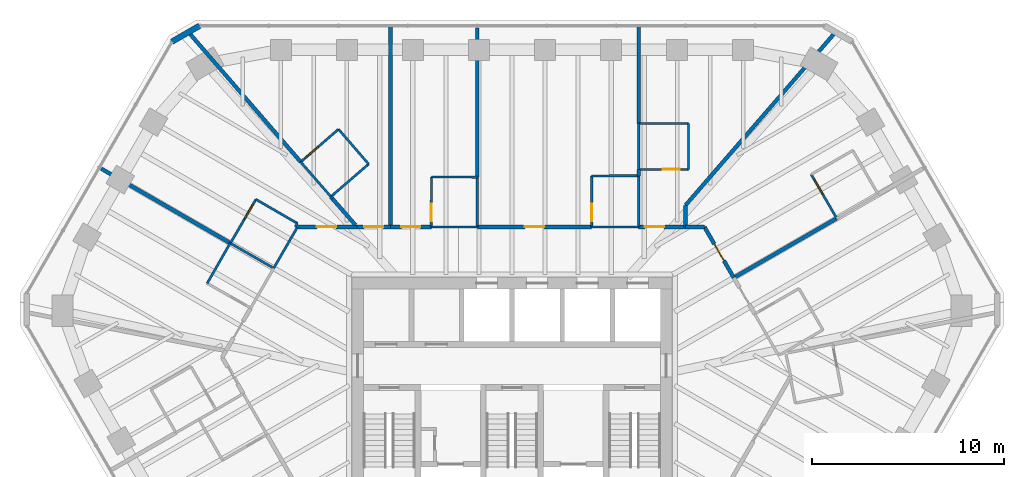
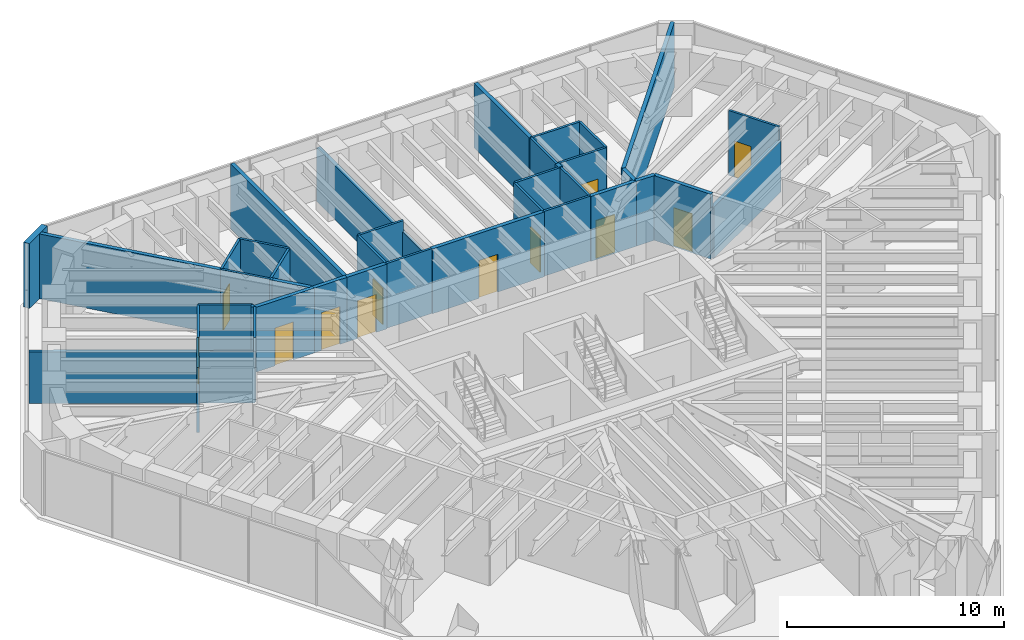
# One storey, part 12 of 14: 42 walls, 12 doors, 12 openings.
"""IFC4 building model written with IfcOpenShell, lengths in metres."""

from ifc_helpers import new_model, si_unit, direction, frame, frame_2d, origin, place, context, subcontext, project, spatial, rectangle, extrude, material, layer, layer_set, type_object, element, fill, save


model = new_model("IFC4")

# Units and contexts
model_context = context("Model", 3, precision=1e-05, world=origin(), true_north=direction((0.0, 1.0)))
body_context = subcontext(model_context, "Body", "Model", "MODEL_VIEW")
ifc_project = project(units=[si_unit("LENGTHUNIT", "METRE"), si_unit("AREAUNIT", "SQUARE_METRE"), si_unit("VOLUMEUNIT", "CUBIC_METRE"), si_unit("PLANEANGLEUNIT", "RADIAN"), si_unit("MASSUNIT", "GRAM", prefix="KILO")], contexts=[model_context])

# Site, building, storey
site_placement = place(None, origin())
site = spatial("IfcSite", under=ifc_project, at=site_placement, CompositionType="ELEMENT")
building_placement = place(site_placement, origin())
building = spatial("IfcBuilding", under=site, at=building_placement, Name="Sandreach Pilgrim Tower", CompositionType="ELEMENT")
storey_placement = place(building_placement, frame((0.0, 0.0, 268.39990234375)))
storey = spatial("IfcBuildingStorey", under=building, at=storey_placement, Name="L67", CompositionType="ELEMENT", Elevation=268.39990234375)

# Walls
ifc_material_1 = material(Name="Moisture-resistant gypsum board on steel studs", Category="steel")
ifc_layer_1 = layer(ifc_material_1, 0.1201171875)
ifc_layer_set_1 = layer_set([ifc_layer_1], Name="Bathroom partition 120")
wall_type_1 = type_object("IfcWallType", Name="Bathroom partition 120", PredefinedType="PARTITIONING", material=ifc_layer_set_1)
wall_1_placement = place(storey_placement, frame((-14.699951171875, 8.489990234375, 0.0), z_axis=(0.0, 0.0, 1.0), x_axis=(-0.496106327528, -0.868261776072, 0.0)))
element("IfcWall", 1, at=wall_1_placement, inside=storey, type_object=wall_type_1, Name="Bathroom partition L67-018", PredefinedType="PARTITIONING", context=body_context, shape_type="SweptSolid", body=[
    extrude(rectangle(XDim=2.418701171875, YDim=0.1201171875, at=frame_2d((1.20947265625, 0.0))), origin(), (0.0, 0.0, 1.0), 3.64013671875),
])
wall_2_placement = place(storey_placement, frame((-14.68994140625, 8.47998046875, 0.0), z_axis=(0.0, 0.0, 1.0), x_axis=(0.866816256489, -0.498627694264, 0.0)))
element("IfcWall", 2, at=wall_2_placement, inside=storey, type_object=wall_type_1, Name="Bathroom partition L67-019", PredefinedType="PARTITIONING", context=body_context, shape_type="SweptSolid", body=[
    extrude(rectangle(XDim=2.607177734375, YDim=0.1201171875, at=frame_2d((1.3037109375, 0.0))), origin(), (0.0, 0.0, 1.0), 2.878173828125),
])

# Wall, opening, door
wall_3_placement = place(storey_placement, frame((-13.360107421875, 10.77001953125, 0.0), z_axis=(0.0, 0.0, 1.0), x_axis=(-0.502173326652, -0.864766991738, 0.0)))
wall_3 = element("IfcWall", 3, at=wall_3_placement, inside=storey, type_object=wall_type_1, Name="Bathroom partition L67-022", PredefinedType="PARTITIONING", context=body_context, shape_type="SweptSolid", body=[
    extrude(rectangle(XDim=2.648193359375, YDim=0.1201171875, at=frame_2d((1.32421875, 0.0))), origin(), (0.0, 0.0, 1.0), 3.64013671875),
])
opening_1_placement = place(wall_3_placement, frame((0.300048828125, 0.0, 0.0)))
opening_1 = element("IfcOpeningElement", 4, at=opening_1_placement, cuts=wall_3, Name="Opening D09-17B", PredefinedType="OPENING", context=body_context, shape_type="SweptSolid", body=[
    extrude(rectangle(XDim=0.89990234375, YDim=2.030029296875, at=frame_2d((0.449951171875, 1.01513671875))), frame((0.0, 0.06005859375, 0.0), z_axis=(0.0, -1.0, 0.0), x_axis=(1.0, 0.0, 0.0)), (0.0, 0.0, 1.0), 0.1201171875),
])
ifc_material_2 = material(Name="Timber door, steel frame", Category="steel")
door_type_1 = type_object("IfcDoorType", Name="Bathroom door", OperationType="SINGLE_SWING_LEFT", PredefinedType="DOOR", material=ifc_material_2)
door_1_placement = place(opening_1_placement, origin())
door_1 = element("IfcDoor", 5, at=door_1_placement, inside=storey, type_object=door_type_1, Name="Door 6717B", OperationType="SINGLE_SWING_LEFT", OverallHeight=2.030029296875, OverallWidth=0.89990234375, PredefinedType="DOOR", context=body_context, shape_type="SweptSolid", body=[
    extrude(rectangle(XDim=0.89990234375, YDim=2.030029296875, at=frame_2d((0.449951171875, 1.01513671875))), frame((0.0, 0.02490234375, 0.0), z_axis=(0.0, -1.0, 0.0), x_axis=(1.0, 0.0, 0.0)), (0.0, 0.0, 1.0), 0.050048828125),
])
fill(opening_1, door_1)

# Walls
wall_4_placement = place(storey_placement, frame((-12.429931640625, 7.179931640625, 0.0), z_axis=(0.0, 0.0, 1.0), x_axis=(0.499577688184, 0.866269088372, 0.0)))
element("IfcWall", 6, at=wall_4_placement, inside=storey, type_object=wall_type_1, Name="Bathroom partition L67-024", PredefinedType="PARTITIONING", context=body_context, shape_type="SweptSolid", body=[
    extrude(rectangle(XDim=2.482177734375, YDim=0.1201171875, at=frame_2d((1.2412109375, 0.0))), origin(), (0.0, 0.0, 1.0), 3.64013671875),
])
wall_5_placement = place(storey_placement, frame((-11.31005859375, 9.330078125, 0.0), z_axis=(0.0, 0.0, 1.0), x_axis=(0.501518373175, 0.865146994081, 0.0)))
element("IfcWall", 7, at=wall_5_placement, inside=storey, type_object=wall_type_1, Name="Bathroom partition L67-027", PredefinedType="PARTITIONING", context=body_context, shape_type="SweptSolid", body=[
    extrude(rectangle(XDim=0.219482421875, YDim=0.1201171875, at=frame_2d((0.10986328125, 0.0))), origin(), (0.0, 0.0, 1.0), 3.64013671875),
])
wall_6_placement = place(storey_placement, frame((-11.199951171875, 9.52001953125, 0.0), z_axis=(0.0, 0.0, 1.0), x_axis=(-0.865533423938, 0.500851167559, 0.0)))
element("IfcWall", 8, at=wall_6_placement, inside=storey, type_object=wall_type_1, Name="Bathroom partition L67-028", PredefinedType="PARTITIONING", context=body_context, shape_type="SweptSolid", body=[
    extrude(rectangle(XDim=2.495849609375, YDim=0.1201171875, at=frame_2d((1.248046875, 0.0))), origin(), (0.0, 0.0, 1.0), 3.64013671875),
])
wall_7_placement = place(storey_placement, frame((-11.02001953125, 12.719970703125, 0.0), z_axis=(0.0, 0.0, 1.0), x_axis=(0.655252439976, -0.755409981338, 0.0)))
element("IfcWall", 9, at=wall_7_placement, inside=storey, type_object=wall_type_1, Name="Bathroom partition L67-029", PredefinedType="PARTITIONING", context=body_context, shape_type="SweptSolid", body=[
    extrude(rectangle(XDim=2.396240234375, YDim=0.1201171875, at=frame_2d((1.1982421875, 0.0))), origin(), (0.0, 0.0, 1.0), 3.64013671875),
])
wall_8_placement = place(storey_placement, frame((-9.449951171875, 10.909912109375, 0.0), z_axis=(0.0, 0.0, 1.0), x_axis=(0.757040252764, 0.65336823897, 0.0)))
element("IfcWall", 10, at=wall_8_placement, inside=storey, type_object=wall_type_1, Name="Bathroom partition L67-032", PredefinedType="PARTITIONING", context=body_context, shape_type="SweptSolid", body=[
    extrude(rectangle(XDim=2.602294921875, YDim=0.1201171875, at=frame_2d((1.30126953125, 0.0))), origin(), (0.0, 0.0, 1.0), 3.64013671875),
])

# Wall, opening, door
wall_9_placement = place(storey_placement, frame((-9.050048828125, 14.429931640625, 0.0), z_axis=(0.0, 0.0, 1.0), x_axis=(-0.755185511235, -0.655511131576, 0.0)))
wall_9 = element("IfcWall", 11, at=wall_9_placement, inside=storey, type_object=wall_type_1, Name="Bathroom partition L67-035", PredefinedType="PARTITIONING", context=body_context, shape_type="SweptSolid", body=[
    extrude(rectangle(XDim=2.608642578125, YDim=0.1201171875, at=frame_2d((1.30419921875, 0.0))), origin(), (0.0, 0.0, 1.0), 3.64013671875),
])
opening_2_placement = place(wall_9_placement, frame((1.40869140625, 0.0, 0.0)))
opening_2 = element("IfcOpeningElement", 12, at=opening_2_placement, cuts=wall_9, Name="Opening D09-01B", PredefinedType="OPENING", context=body_context, shape_type="SweptSolid", body=[
    extrude(rectangle(XDim=0.89990234375, YDim=2.030029296875, at=frame_2d((0.449951171875, 1.01513671875))), frame((0.0, 0.06005859375, 0.0), z_axis=(0.0, -1.0, 0.0), x_axis=(1.0, 0.0, 0.0)), (0.0, 0.0, 1.0), 0.1201171875),
])
door_2_placement = place(opening_2_placement, origin())
door_2 = element("IfcDoor", 13, at=door_2_placement, inside=storey, type_object=door_type_1, Name="Door 6701B", OperationType="SINGLE_SWING_RIGHT", OverallHeight=2.030029296875, OverallWidth=0.89990234375, PredefinedType="DOOR", context=body_context, shape_type="SweptSolid", body=[
    extrude(rectangle(XDim=0.89990234375, YDim=2.030029296875, at=frame_2d((0.449951171875, 1.01513671875))), frame((0.0, 0.02490234375, 0.0), z_axis=(0.0, -1.0, 0.0), x_axis=(1.0, 0.0, 0.0)), (0.0, 0.0, 1.0), 0.050048828125),
])
fill(opening_2, door_2)

# Walls
wall_10_placement = place(storey_placement, frame((-7.47998046875, 12.610107421875, 0.0), z_axis=(0.0, 0.0, 1.0), x_axis=(-0.653238965593, 0.75715180369, 0.0)))
element("IfcWall", 14, at=wall_10_placement, inside=storey, type_object=wall_type_1, Name="Bathroom partition L67-039", PredefinedType="PARTITIONING", context=body_context, shape_type="SweptSolid", body=[
    extrude(rectangle(XDim=2.403564453125, YDim=0.1201171875, at=frame_2d((1.20166015625, 0.0))), origin(), (0.0, 0.0, 1.0), 3.64013671875),
])
wall_11_placement = place(storey_placement, frame((-4.2099609375, 9.330078125, 0.0), z_axis=(0.0, 0.0, 1.0), x_axis=(1.0, 0.0, 0.0)))
element("IfcWall", 15, at=wall_11_placement, inside=storey, type_object=wall_type_1, Name="Bathroom partition L67-046", PredefinedType="PARTITIONING", context=body_context, shape_type="SweptSolid", body=[
    extrude(rectangle(XDim=2.39990234375, YDim=0.1201171875, at=frame_2d((1.199951171875, 0.0))), origin(), (0.0, 0.0, 1.0), 3.64013671875),
])

# Wall, opening, door
wall_12_placement = place(storey_placement, frame((-4.199951171875, 11.93994140625, 0.0), z_axis=(0.0, 0.0, 1.0), x_axis=(-0.003835331941, -0.999992645087, 0.0)))
wall_12 = element("IfcWall", 16, at=wall_12_placement, inside=storey, type_object=wall_type_1, Name="Bathroom partition L67-047", PredefinedType="PARTITIONING", context=body_context, shape_type="SweptSolid", body=[
    extrude(rectangle(XDim=2.60986328125, YDim=0.1201171875, at=frame_2d((1.304931640625, 0.0))), origin(), (0.0, 0.0, 1.0), 3.64013671875),
])
opening_3_placement = place(wall_12_placement, frame((1.409912109375, 0.0, 0.0)))
opening_3 = element("IfcOpeningElement", 17, at=opening_3_placement, cuts=wall_12, Name="Opening D09-02B", PredefinedType="OPENING", context=body_context, shape_type="SweptSolid", body=[
    extrude(rectangle(XDim=0.89990234375, YDim=2.030029296875, at=frame_2d((0.449951171875, 1.01513671875))), frame((0.0, 0.06005859375, 0.0), z_axis=(0.0, -1.0, 0.0), x_axis=(1.0, 0.0, 0.0)), (0.0, 0.0, 1.0), 0.1201171875),
])
door_3_placement = place(opening_3_placement, origin())
door_3 = element("IfcDoor", 18, at=door_3_placement, inside=storey, type_object=door_type_1, Name="Door 6702B", OperationType="SINGLE_SWING_RIGHT", OverallHeight=2.030029296875, OverallWidth=0.89990234375, PredefinedType="DOOR", context=body_context, shape_type="SweptSolid", body=[
    extrude(rectangle(XDim=0.89990234375, YDim=2.030029296875, at=frame_2d((0.449951171875, 1.01513671875))), frame((0.0, 0.02490234375, 0.0), z_axis=(0.0, -1.0, 0.0), x_axis=(1.0, 0.0, 0.0)), (0.0, 0.0, 1.0), 0.050048828125),
])
fill(opening_3, door_3)

# Walls
wall_13_placement = place(storey_placement, frame((-1.81005859375, 11.929931640625, 0.0), z_axis=(0.0, 0.0, 1.0), x_axis=(-0.999991228874, 0.00418833797, 0.0)))
element("IfcWall", 19, at=wall_13_placement, inside=storey, type_object=wall_type_1, Name="Bathroom partition L67-059", PredefinedType="PARTITIONING", context=body_context, shape_type="SweptSolid", body=[
    extrude(rectangle(XDim=2.389892578125, YDim=0.1201171875, at=frame_2d((1.19482421875, 0.0))), origin(), (0.0, 0.0, 1.0), 3.64013671875),
])
wall_14_placement = place(storey_placement, frame((-1.81005859375, 11.929931640625, 0.0), z_axis=(0.0, 0.0, 1.0), x_axis=(0.0, -1.0, 0.0)))
element("IfcWall", 20, at=wall_14_placement, inside=storey, type_object=wall_type_1, Name="Bathroom partition L67-060", PredefinedType="PARTITIONING", context=body_context, shape_type="SweptSolid", body=[
    extrude(rectangle(XDim=2.599853515625, YDim=0.1201171875, at=frame_2d((1.2998046875, 0.0))), origin(), (0.0, 0.0, 1.0), 3.02294921875),
])

# Wall, opening, door
wall_15_placement = place(storey_placement, frame((4.159912109375, 11.989990234375, 0.0), z_axis=(0.0, 0.0, 1.0), x_axis=(0.0, -1.0, 0.0)))
wall_15 = element("IfcWall", 21, at=wall_15_placement, inside=storey, type_object=wall_type_1, Name="Bathroom partition L67-076", PredefinedType="PARTITIONING", context=body_context, shape_type="SweptSolid", body=[
    extrude(rectangle(XDim=2.659912109375, YDim=0.1201171875, at=frame_2d((1.330078125, 0.0))), origin(), (0.0, 0.0, 1.0), 3.64013671875),
])
opening_4_placement = place(wall_15_placement, frame((1.4599609375, 0.0, 0.0)))
opening_4 = element("IfcOpeningElement", 22, at=opening_4_placement, cuts=wall_15, Name="Opening D09-03B", PredefinedType="OPENING", context=body_context, shape_type="SweptSolid", body=[
    extrude(rectangle(XDim=0.89990234375, YDim=2.030029296875, at=frame_2d((0.449951171875, 1.01513671875))), frame((0.0, 0.06005859375, 0.0), z_axis=(0.0, -1.0, 0.0), x_axis=(1.0, 0.0, 0.0)), (0.0, 0.0, 1.0), 0.1201171875),
])
door_4_placement = place(opening_4_placement, origin())
door_4 = element("IfcDoor", 23, at=door_4_placement, inside=storey, type_object=door_type_1, Name="Door 6703B", OperationType="SINGLE_SWING_RIGHT", OverallHeight=2.030029296875, OverallWidth=0.89990234375, PredefinedType="DOOR", context=body_context, shape_type="SweptSolid", body=[
    extrude(rectangle(XDim=0.89990234375, YDim=2.030029296875, at=frame_2d((0.449951171875, 1.01513671875))), frame((0.0, 0.02490234375, 0.0), z_axis=(0.0, -1.0, 0.0), x_axis=(1.0, 0.0, 0.0)), (0.0, 0.0, 1.0), 0.050048828125),
])
fill(opening_4, door_4)

# Walls
for number, where, z_axis, x_axis, name in (
    (24, (6.610107421875, 9.330078125, 0.0), (0.0, 0.0, 1.0), (-1.0, 0.0, 0.0), "Bathroom partition L67-083"),
    (25, (6.610107421875, 12.0, 0.0), (0.0, 0.0, 1.0), (-0.999991655295, -0.004085258855, 0.0), "Bathroom partition L67-085"),
):
    element("IfcWall", number, at=place(storey_placement, frame(where, z_axis=z_axis, x_axis=x_axis)), inside=storey, type_object=wall_type_1, Name=name, PredefinedType="PARTITIONING", context=body_context, shape_type="SweptSolid", body=[
        extrude(rectangle(XDim=2.4501953125, YDim=0.1201171875, at=frame_2d((1.22509765625, 0.0))), origin(), (0.0, 0.0, 1.0), 3.64013671875),
    ])
wall_16_placement = place(storey_placement, frame((6.610107421875, 12.0, 0.0), z_axis=(0.0, 0.0, 1.0), x_axis=(0.0, -1.0, 0.0)))
element("IfcWall", 26, at=wall_16_placement, inside=storey, type_object=wall_type_1, Name="Bathroom partition L67-086", PredefinedType="PARTITIONING", context=body_context, shape_type="SweptSolid", body=[
    extrude(rectangle(XDim=2.669921875, YDim=0.1201171875, at=frame_2d((1.3349609375, 0.0))), origin(), (0.0, 0.0, 1.0), 3.64013671875),
])

# Wall, opening, door
wall_17_placement = place(storey_placement, frame((6.610107421875, 12.330078125, 0.0), z_axis=(0.0, 0.0, 1.0), x_axis=(1.0, 0.0, 0.0)))
wall_17 = element("IfcWall", 27, at=wall_17_placement, inside=storey, type_object=wall_type_1, Name="Bathroom partition L67-088", PredefinedType="PARTITIONING", context=body_context, shape_type="SweptSolid", body=[
    extrude(rectangle(XDim=2.599853515625, YDim=0.1201171875, at=frame_2d((1.2998046875, 0.0))), origin(), (0.0, 0.0, 1.0), 3.64013671875),
])
opening_5_placement = place(wall_17_placement, frame((1.25, 0.0, 0.0)))
opening_5 = element("IfcOpeningElement", 28, at=opening_5_placement, cuts=wall_17, Name="Opening D09-04B", PredefinedType="OPENING", context=body_context, shape_type="SweptSolid", body=[
    extrude(rectangle(XDim=0.89990234375, YDim=2.030029296875, at=frame_2d((0.449951171875, 1.01513671875))), frame((0.0, 0.06005859375, 0.0), z_axis=(0.0, -1.0, 0.0), x_axis=(1.0, 0.0, 0.0)), (0.0, 0.0, 1.0), 0.1201171875),
])
door_5_placement = place(opening_5_placement, origin())
door_5 = element("IfcDoor", 29, at=door_5_placement, inside=storey, type_object=door_type_1, Name="Door 6704B", OperationType="SINGLE_SWING_RIGHT", OverallHeight=2.030029296875, OverallWidth=0.89990234375, PredefinedType="DOOR", context=body_context, shape_type="SweptSolid", body=[
    extrude(rectangle(XDim=0.89990234375, YDim=2.030029296875, at=frame_2d((0.449951171875, 1.01513671875))), frame((0.0, 0.02490234375, 0.0), z_axis=(0.0, -1.0, 0.0), x_axis=(1.0, 0.0, 0.0)), (0.0, 0.0, 1.0), 0.050048828125),
])
fill(opening_5, door_5)

# Walls
for number, where, z_axis, x_axis, name in (
    (30, (6.610107421875, 14.72998046875, 0.0), (0.0, 0.0, 1.0), (0.0, -1.0, 0.0), "Bathroom partition L67-089"),
    (31, (9.2099609375, 12.330078125, 0.0), (0.0, 0.0, 1.0), (0.0, 1.0, 0.0), "Bathroom partition L67-100"),
):
    element("IfcWall", number, at=place(storey_placement, frame(where, z_axis=z_axis, x_axis=x_axis)), inside=storey, type_object=wall_type_1, Name=name, PredefinedType="PARTITIONING", context=body_context, shape_type="SweptSolid", body=[
        extrude(rectangle(XDim=2.39990234375, YDim=0.1201171875, at=frame_2d((1.199951171875, 0.0))), origin(), (0.0, 0.0, 1.0), 3.64013671875),
    ])
wall_18_placement = place(storey_placement, frame((9.2099609375, 14.72998046875, 0.0), z_axis=(0.0, 0.0, 1.0), x_axis=(-1.0, 0.0, 0.0)))
element("IfcWall", 32, at=wall_18_placement, inside=storey, type_object=wall_type_1, Name="Bathroom partition L67-101", PredefinedType="PARTITIONING", context=body_context, shape_type="SweptSolid", body=[
    extrude(rectangle(XDim=2.599853515625, YDim=0.1201171875, at=frame_2d((1.2998046875, 0.0))), origin(), (0.0, 0.0, 1.0), 3.64013671875),
])

# Wall, opening, door
wall_19_placement = place(storey_placement, frame((15.610107421875, 12.070068359375, 0.0), z_axis=(0.0, 0.0, 1.0), x_axis=(0.502173326652, -0.864766991738, 0.0)))
wall_19 = element("IfcWall", 33, at=wall_19_placement, inside=storey, type_object=wall_type_1, Name="Bathroom partition L67-116", PredefinedType="PARTITIONING", context=body_context, shape_type="SweptSolid", body=[
    extrude(rectangle(XDim=2.648193359375, YDim=0.1201171875, at=frame_2d((1.32421875, 0.0))), origin(), (0.0, 0.0, 1.0), 3.64013671875),
])
opening_6_placement = place(wall_19_placement, frame((0.300048828125, 0.0, 0.0)))
opening_6 = element("IfcOpeningElement", 34, at=opening_6_placement, cuts=wall_19, Name="Opening D09-05B", PredefinedType="OPENING", context=body_context, shape_type="SweptSolid", body=[
    extrude(rectangle(XDim=0.89990234375, YDim=2.030029296875, at=frame_2d((0.449951171875, 1.01513671875))), frame((0.0, 0.06005859375, 0.0), z_axis=(0.0, -1.0, 0.0), x_axis=(1.0, 0.0, 0.0)), (0.0, 0.0, 1.0), 0.1201171875),
])
door_6_placement = place(opening_6_placement, origin())
door_6 = element("IfcDoor", 35, at=door_6_placement, inside=storey, type_object=door_type_1, Name="Door 6705B", OperationType="SINGLE_SWING_LEFT", OverallHeight=2.030029296875, OverallWidth=0.89990234375, PredefinedType="DOOR", context=body_context, shape_type="SweptSolid", body=[
    extrude(rectangle(XDim=0.89990234375, YDim=2.030029296875, at=frame_2d((0.449951171875, 1.01513671875))), frame((0.0, 0.02490234375, 0.0), z_axis=(0.0, -1.0, 0.0), x_axis=(1.0, 0.0, 0.0)), (0.0, 0.0, 1.0), 0.050048828125),
])
fill(opening_6, door_6)

ifc_material_3 = material(Name="Gypsum board on steel studs, two layers each side", Category="steel")
ifc_layer_2 = layer(ifc_material_3, 0.199951171875)
ifc_layer_set_2 = layer_set([ifc_layer_2], Name="Corridor wall 200")
wall_type_2 = type_object("IfcWallType", Name="Corridor wall 200", PredefinedType="PARTITIONING", material=ifc_layer_set_2)
wall_20_placement = place(storey_placement, frame((-8.080078125, 9.330078125, 0.0), z_axis=(0.0, 0.0, 1.0), x_axis=(-1.0, 0.0, 0.0)))
wall_20 = element("IfcWall", 36, at=wall_20_placement, inside=storey, type_object=wall_type_2, Name="Corridor wall L67-038", PredefinedType="PARTITIONING", context=body_context, shape_type="SweptSolid", body=[
    extrude(rectangle(XDim=3.10986328125, YDim=0.199951171875, at=frame_2d((1.554931640625, 0.0))), origin(), (0.0, 0.0, 1.0), 3.64013671875),
])
opening_7_placement = place(wall_20_placement, frame((1.10009765625, 0.0, 0.0)))
opening_7 = element("IfcOpeningElement", 37, at=opening_7_placement, cuts=wall_20, Name="Opening D10-17", PredefinedType="OPENING", context=body_context, shape_type="SweptSolid", body=[
    extrude(rectangle(XDim=1.0, YDim=2.1298828125, at=frame_2d((0.5, 1.06494140625))), frame((0.0, 0.10009765625, 0.0), z_axis=(0.0, -1.0, 0.0), x_axis=(1.0, 0.0, 0.0)), (0.0, 0.0, 1.0), 0.199951171875),
])
ifc_material_4 = material(Name="Steel door and frame", Category="steel")
door_type_2 = type_object("IfcDoorType", Name="Guest room entry door", OperationType="SINGLE_SWING_LEFT", PredefinedType="DOOR", material=ifc_material_4)
door_7_placement = place(opening_7_placement, origin())
door_7 = element("IfcDoor", 38, at=door_7_placement, inside=storey, type_object=door_type_2, Name="Door 6717", OperationType="SINGLE_SWING_RIGHT", OverallHeight=2.1298828125, OverallWidth=1.0, PredefinedType="DOOR", context=body_context, shape_type="SweptSolid", body=[
    extrude(rectangle(XDim=1.0, YDim=2.1298828125, at=frame_2d((0.5, 1.06494140625))), frame((0.0, 0.02490234375, 0.0), z_axis=(0.0, -1.0, 0.0), x_axis=(1.0, 0.0, 0.0)), (0.0, 0.0, 1.0), 0.050048828125),
])
fill(opening_7, door_7)

wall_21_placement = place(storey_placement, frame((-6.340087890625, 9.330078125, 0.0), z_axis=(0.0, 0.0, 1.0), x_axis=(-1.0, 0.0, 0.0)))
wall_21 = element("IfcWall", 39, at=wall_21_placement, inside=storey, type_object=wall_type_2, Name="Corridor wall L67-040", PredefinedType="PARTITIONING", context=body_context, shape_type="SweptSolid", body=[
    extrude(rectangle(XDim=1.739990234375, YDim=0.199951171875, at=frame_2d((0.8701171875, 0.0))), origin(), (0.0, 0.0, 1.0), 3.64013671875),
])
opening_8_placement = place(wall_21_placement, frame((0.3701171875, 0.0, 0.0)))
opening_8 = element("IfcOpeningElement", 40, at=opening_8_placement, cuts=wall_21, Name="Opening D10-01", PredefinedType="OPENING", context=body_context, shape_type="SweptSolid", body=[
    extrude(rectangle(XDim=1.0, YDim=2.1298828125, at=frame_2d((0.5, 1.06494140625))), frame((0.0, 0.10009765625, 0.0), z_axis=(0.0, -1.0, 0.0), x_axis=(1.0, 0.0, 0.0)), (0.0, 0.0, 1.0), 0.199951171875),
])
door_8_placement = place(opening_8_placement, origin())
door_8 = element("IfcDoor", 41, at=door_8_placement, inside=storey, type_object=door_type_2, Name="Door 6701", OperationType="SINGLE_SWING_LEFT", OverallHeight=2.1298828125, OverallWidth=1.0, PredefinedType="DOOR", context=body_context, shape_type="SweptSolid", body=[
    extrude(rectangle(XDim=1.0, YDim=2.1298828125, at=frame_2d((0.5, 1.06494140625))), frame((0.0, 0.02490234375, 0.0), z_axis=(0.0, -1.0, 0.0), x_axis=(1.0, 0.0, 0.0)), (0.0, 0.0, 1.0), 0.050048828125),
])
fill(opening_8, door_8)

wall_22_placement = place(storey_placement, frame((-4.2099609375, 9.330078125, 0.0), z_axis=(0.0, 0.0, 1.0), x_axis=(-1.0, 0.0, 0.0)))
wall_22 = element("IfcWall", 42, at=wall_22_placement, inside=storey, type_object=wall_type_2, Name="Corridor wall L67-045", PredefinedType="PARTITIONING", context=body_context, shape_type="SweptSolid", body=[
    extrude(rectangle(XDim=2.130126953125, YDim=0.199951171875, at=frame_2d((1.06494140625, 0.0))), origin(), (0.0, 0.0, 1.0), 3.64013671875),
])
opening_9_placement = place(wall_22_placement, frame((0.56494140625, 0.0, 0.0)))
opening_9 = element("IfcOpeningElement", 43, at=opening_9_placement, cuts=wall_22, Name="Opening D10-02", PredefinedType="OPENING", context=body_context, shape_type="SweptSolid", body=[
    extrude(rectangle(XDim=1.0, YDim=2.1298828125, at=frame_2d((0.5, 1.06494140625))), frame((0.0, 0.10009765625, 0.0), z_axis=(0.0, -1.0, 0.0), x_axis=(1.0, 0.0, 0.0)), (0.0, 0.0, 1.0), 0.199951171875),
])
door_9_placement = place(opening_9_placement, origin())
door_9 = element("IfcDoor", 44, at=door_9_placement, inside=storey, type_object=door_type_2, Name="Door 6702", OperationType="SINGLE_SWING_LEFT", OverallHeight=2.1298828125, OverallWidth=1.0, PredefinedType="DOOR", context=body_context, shape_type="SweptSolid", body=[
    extrude(rectangle(XDim=1.0, YDim=2.1298828125, at=frame_2d((0.5, 1.06494140625))), frame((0.0, 0.02490234375, 0.0), z_axis=(0.0, -1.0, 0.0), x_axis=(1.0, 0.0, 0.0)), (0.0, 0.0, 1.0), 0.050048828125),
])
fill(opening_9, door_9)

wall_23_placement = place(storey_placement, frame((4.159912109375, 9.330078125, 0.0), z_axis=(0.0, 0.0, 1.0), x_axis=(-1.0, 0.0, 0.0)))
wall_23 = element("IfcWall", 45, at=wall_23_placement, inside=storey, type_object=wall_type_2, Name="Corridor wall L67-075", PredefinedType="PARTITIONING", context=body_context, shape_type="SweptSolid", body=[
    extrude(rectangle(XDim=5.969970703125, YDim=0.199951171875, at=frame_2d((2.98486328125, 0.0))), origin(), (0.0, 0.0, 1.0), 3.64013671875),
])
opening_10_placement = place(wall_23_placement, frame((2.485107421875, 0.0, 0.0)))
opening_10 = element("IfcOpeningElement", 46, at=opening_10_placement, cuts=wall_23, Name="Opening D10-03", PredefinedType="OPENING", context=body_context, shape_type="SweptSolid", body=[
    extrude(rectangle(XDim=1.0, YDim=2.1298828125, at=frame_2d((0.5, 1.06494140625))), frame((0.0, 0.10009765625, 0.0), z_axis=(0.0, -1.0, 0.0), x_axis=(1.0, 0.0, 0.0)), (0.0, 0.0, 1.0), 0.199951171875),
])
door_10_placement = place(opening_10_placement, origin())
door_10 = element("IfcDoor", 47, at=door_10_placement, inside=storey, type_object=door_type_2, Name="Door 6703", OperationType="SINGLE_SWING_LEFT", OverallHeight=2.1298828125, OverallWidth=1.0, PredefinedType="DOOR", context=body_context, shape_type="SweptSolid", body=[
    extrude(rectangle(XDim=1.0, YDim=2.1298828125, at=frame_2d((0.5, 1.06494140625))), frame((0.0, 0.02490234375, 0.0), z_axis=(0.0, -1.0, 0.0), x_axis=(1.0, 0.0, 0.0)), (0.0, 0.0, 1.0), 0.050048828125),
])
fill(opening_10, door_10)

wall_24_placement = place(storey_placement, frame((6.610107421875, 9.330078125, 0.0), z_axis=(0.0, 0.0, 1.0), x_axis=(1.0, 0.0, 0.0)))
wall_24 = element("IfcWall", 48, at=wall_24_placement, inside=storey, type_object=wall_type_2, Name="Corridor wall L67-084", PredefinedType="PARTITIONING", context=body_context, shape_type="SweptSolid", body=[
    extrude(rectangle(XDim=2.43994140625, YDim=0.199951171875, at=frame_2d((1.219970703125, 0.0))), origin(), (0.0, 0.0, 1.0), 3.64013671875),
])
opening_11_placement = place(wall_24_placement, frame((0.320068359375, 0.0, 0.0)))
opening_11 = element("IfcOpeningElement", 49, at=opening_11_placement, cuts=wall_24, Name="Opening D10-04", PredefinedType="OPENING", context=body_context, shape_type="SweptSolid", body=[
    extrude(rectangle(XDim=1.0, YDim=2.1298828125, at=frame_2d((0.5, 1.06494140625))), frame((0.0, 0.10009765625, 0.0), z_axis=(0.0, -1.0, 0.0), x_axis=(1.0, 0.0, 0.0)), (0.0, 0.0, 1.0), 0.199951171875),
])
door_11_placement = place(opening_11_placement, origin())
door_11 = element("IfcDoor", 50, at=door_11_placement, inside=storey, type_object=door_type_2, Name="Door 6704", OperationType="SINGLE_SWING_LEFT", OverallHeight=2.1298828125, OverallWidth=1.0, PredefinedType="DOOR", context=body_context, shape_type="SweptSolid", body=[
    extrude(rectangle(XDim=1.0, YDim=2.1298828125, at=frame_2d((0.5, 1.06494140625))), frame((0.0, 0.02490234375, 0.0), z_axis=(0.0, -1.0, 0.0), x_axis=(1.0, 0.0, 0.0)), (0.0, 0.0, 1.0), 0.050048828125),
])
fill(opening_11, door_11)

# Wall
wall_25_placement = place(storey_placement, frame((10.0400390625, 9.330078125, 0.0), z_axis=(0.0, 0.0, 1.0), x_axis=(-1.0, 0.0, 0.0)))
element("IfcWall", 51, at=wall_25_placement, inside=storey, type_object=wall_type_2, Name="Corridor wall L67-104", PredefinedType="PARTITIONING", context=body_context, shape_type="SweptSolid", body=[
    extrude(rectangle(XDim=0.989990234375, YDim=0.199951171875, at=frame_2d((0.4951171875, 0.0))), origin(), (0.0, 0.0, 1.0), 3.64013671875),
])

# Wall, opening, door
wall_26_placement = place(storey_placement, frame((10.0400390625, 9.330078125, 0.0), z_axis=(0.0, 0.0, 1.0), x_axis=(0.50033475521, -0.86583204649, 0.0)))
wall_26 = element("IfcWall", 52, at=wall_26_placement, inside=storey, type_object=wall_type_2, Name="Corridor wall L67-105", PredefinedType="PARTITIONING", context=body_context, shape_type="SweptSolid", body=[
    extrude(rectangle(XDim=3.06005859375, YDim=0.199951171875, at=frame_2d((1.530029296875, 0.0))), origin(), (0.0, 0.0, 1.0), 3.64013671875),
])
opening_12_placement = place(wall_26_placement, frame((1.030029296875, 0.0, 0.0)))
opening_12 = element("IfcOpeningElement", 53, at=opening_12_placement, cuts=wall_26, Name="Opening D10-05", PredefinedType="OPENING", context=body_context, shape_type="SweptSolid", body=[
    extrude(rectangle(XDim=1.0, YDim=2.1298828125, at=frame_2d((0.5, 1.06494140625))), frame((0.0, 0.10009765625, 0.0), z_axis=(0.0, -1.0, 0.0), x_axis=(1.0, 0.0, 0.0)), (0.0, 0.0, 1.0), 0.199951171875),
])
door_12_placement = place(opening_12_placement, origin())
door_12 = element("IfcDoor", 54, at=door_12_placement, inside=storey, type_object=door_type_2, Name="Door 6705", OperationType="SINGLE_SWING_LEFT", OverallHeight=2.1298828125, OverallWidth=1.0, PredefinedType="DOOR", context=body_context, shape_type="SweptSolid", body=[
    extrude(rectangle(XDim=1.0, YDim=2.1298828125, at=frame_2d((0.5, 1.06494140625))), frame((0.0, 0.02490234375, 0.0), z_axis=(0.0, -1.0, 0.0), x_axis=(1.0, 0.0, 0.0)), (0.0, 0.0, 1.0), 0.050048828125),
])
fill(opening_12, door_12)

# Walls
ifc_material_5 = material(Name="Double steel stud acoustic wall, gypsum board", Category="steel")
ifc_layer_3 = layer(ifc_material_5, 0.199951171875)
ifc_layer_set_3 = layer_set([ifc_layer_3], Name="Party wall 200")
wall_type_3 = type_object("IfcWallType", Name="Party wall 200", PredefinedType="PARTITIONING", material=ifc_layer_set_3)
wall_27_placement = place(storey_placement, frame((-21.426025390625, 12.3701171875, 0.0), z_axis=(0.0, 0.0, 1.0), x_axis=(0.866202335538, -0.499693419917, 0.0)))
element("IfcWall", 55, at=wall_27_placement, inside=storey, type_object=wall_type_3, Name="Party wall L67-002", PredefinedType="PARTITIONING", context=body_context, shape_type="SweptSolid", body=[
    extrude(rectangle(XDim=7.76513671875, YDim=0.199951171875, at=frame_2d((3.882568359375, 0.0))), origin(), (0.0, 0.0, 1.0), 2.878173828125),
])
wall_28_placement = place(storey_placement, frame((-16.890380859375, 19.50732421875, 0.0), z_axis=(0.0, 0.0, 1.0), x_axis=(0.65416581431, -0.756351166713, 0.0)))
element("IfcWall", 56, at=wall_28_placement, inside=storey, type_object=wall_type_3, Name="Party wall L67-006", PredefinedType="PARTITIONING", context=body_context, shape_type="SweptSolid", body=[
    extrude(rectangle(XDim=8.973876953125, YDim=0.199951171875, at=frame_2d((4.48681640625, 0.0))), origin(), (0.0, 0.0, 1.0), 3.64013671875),
])
wall_29_placement = place(storey_placement, frame((-9.449951171875, 10.909912109375, 0.0), z_axis=(0.0, 0.0, 1.0), x_axis=(0.625625039906, -0.780123906468, 0.0)))
element("IfcWall", 57, at=wall_29_placement, inside=storey, type_object=wall_type_3, Name="Party wall L67-031", PredefinedType="PARTITIONING", context=body_context, shape_type="SweptSolid", body=[
    extrude(rectangle(XDim=0.1279296875, YDim=0.199951171875, at=frame_2d((0.06396484375, 0.0))), origin(), (0.0, 0.0, 1.0), 3.64013671875),
])
wall_30_placement = place(storey_placement, frame((-9.3701171875, 10.81005859375, 0.0), z_axis=(0.0, 0.0, 1.0), x_axis=(0.657042073586, -0.753853907291, 0.0)))
element("IfcWall", 58, at=wall_30_placement, inside=storey, type_object=wall_type_3, Name="Party wall L67-033", PredefinedType="PARTITIONING", context=body_context, shape_type="SweptSolid", body=[
    extrude(rectangle(XDim=1.833251953125, YDim=0.199951171875, at=frame_2d((0.91650390625, 0.0))), origin(), (0.0, 0.0, 1.0), 3.64013671875),
])
wall_31_placement = place(storey_placement, frame((-6.340087890625, 19.800048828125, 0.0), z_axis=(0.0, 0.0, 1.0), x_axis=(0.0, -1.0, 0.0)))
element("IfcWall", 59, at=wall_31_placement, inside=storey, type_object=wall_type_3, Name="Party wall L67-041", PredefinedType="PARTITIONING", context=body_context, shape_type="SweptSolid", body=[
    extrude(rectangle(XDim=10.455078125, YDim=0.199951171875, at=frame_2d((5.2275390625, 0.0))), origin(), (0.0, 0.0, 1.0), 3.64013671875),
])
wall_32_placement = place(storey_placement, frame((-1.81005859375, 19.7099609375, 0.0), z_axis=(0.0, 0.0, 1.0), x_axis=(0.0, -1.0, 0.0)))
element("IfcWall", 60, at=wall_32_placement, inside=storey, type_object=wall_type_3, Name="Party wall L67-061", PredefinedType="PARTITIONING", context=body_context, shape_type="SweptSolid", body=[
    extrude(rectangle(XDim=7.780029296875, YDim=0.199951171875, at=frame_2d((3.89013671875, 0.0))), origin(), (0.0, 0.0, 1.0), 3.02294921875),
])
wall_33_placement = place(storey_placement, frame((6.610107421875, 12.330078125, 0.0), z_axis=(0.0, 0.0, 1.0), x_axis=(0.0, -1.0, 0.0)))
element("IfcWall", 61, at=wall_33_placement, inside=storey, type_object=wall_type_3, Name="Party wall L67-087", PredefinedType="PARTITIONING", context=body_context, shape_type="SweptSolid", body=[
    extrude(rectangle(XDim=0.330078125, YDim=0.199951171875, at=frame_2d((0.1650390625, 0.0))), origin(), (0.0, 0.0, 1.0), 3.64013671875),
])
wall_34_placement = place(storey_placement, frame((6.610107421875, 19.800048828125, 0.0), z_axis=(0.0, 0.0, 1.0), x_axis=(0.0, -1.0, 0.0)))
element("IfcWall", 62, at=wall_34_placement, inside=storey, type_object=wall_type_3, Name="Party wall L67-090", PredefinedType="PARTITIONING", context=body_context, shape_type="SweptSolid", body=[
    extrude(rectangle(XDim=5.070068359375, YDim=0.199951171875, at=frame_2d((2.53515625, 0.0))), origin(), (0.0, 0.0, 1.0), 3.64013671875),
])
wall_35_placement = place(storey_placement, frame((9.050048828125, 10.4599609375, 0.0), z_axis=(0.0, 0.0, 1.0), x_axis=(0.0, -1.0, 0.0)))
element("IfcWall", 63, at=wall_35_placement, inside=storey, type_object=wall_type_3, Name="Party wall L67-099", PredefinedType="PARTITIONING", context=body_context, shape_type="SweptSolid", body=[
    extrude(rectangle(XDim=1.119873046875, YDim=0.199951171875, at=frame_2d((0.56005859375, 0.0))), origin(), (0.0, 0.0, 1.0), 3.64013671875),
])
wall_36_placement = place(storey_placement, frame((11.5830078125, 6.6875, 0.0), z_axis=(0.0, 0.0, 1.0), x_axis=(0.866046247233, 0.49996389635, 0.0)))
element("IfcWall", 64, at=wall_36_placement, inside=storey, type_object=wall_type_3, Name="Party wall L67-108", PredefinedType="PARTITIONING", context=body_context, shape_type="SweptSolid", body=[
    extrude(rectangle(XDim=6.185546875, YDim=0.199951171875, at=frame_2d((3.0927734375, 0.0))), origin(), (0.0, 0.0, 1.0), 2.878173828125),
])
wall_37_placement = place(storey_placement, frame((16.890380859375, 19.50732421875, 0.0), z_axis=(0.0, 0.0, 1.0), x_axis=(-0.654896377117, -0.755718687899, 0.0)))
element("IfcWall", 65, at=wall_37_placement, inside=storey, type_object=wall_type_3, Name="Party wall L67-120", PredefinedType="PARTITIONING", context=body_context, shape_type="SweptSolid", body=[
    extrude(rectangle(XDim=11.971923828125, YDim=0.199951171875, at=frame_2d((5.98583984375, 0.0))), origin(), (0.0, 0.0, 1.0), 3.64013671875),
])
ifc_material_6 = material(Name="Terracotta rainscreen on concrete", Category="masonry")
ifc_layer_4 = layer(ifc_material_6, 0.300048828125)
ifc_layer_set_4 = layer_set([ifc_layer_4], Name="Terracotta chamfer pier")
wall_type_4 = type_object("IfcWallType", Name="Terracotta chamfer pier", PredefinedType="SOLIDWALL", material=ifc_layer_set_4)
wall_38_placement = place(storey_placement, frame((-17.736083984375, 18.996337890625, 0.0), z_axis=(0.0, 0.0, 1.0), x_axis=(0.866026405774, 0.499998264499, 0.0)))
element("IfcWall", 66, at=wall_38_placement, inside=storey, type_object=wall_type_4, Name="Chamfer pier L67 NW", PredefinedType="SOLIDWALL", context=body_context, shape_type="SweptSolid", body=[
    extrude(rectangle(XDim=1.66015625, YDim=0.300048828125, at=frame_2d((0.830078125, 0.0))), origin(), (0.0, 0.0, 1.0), 3.64013671875),
])

save(model, "model.ifc")
